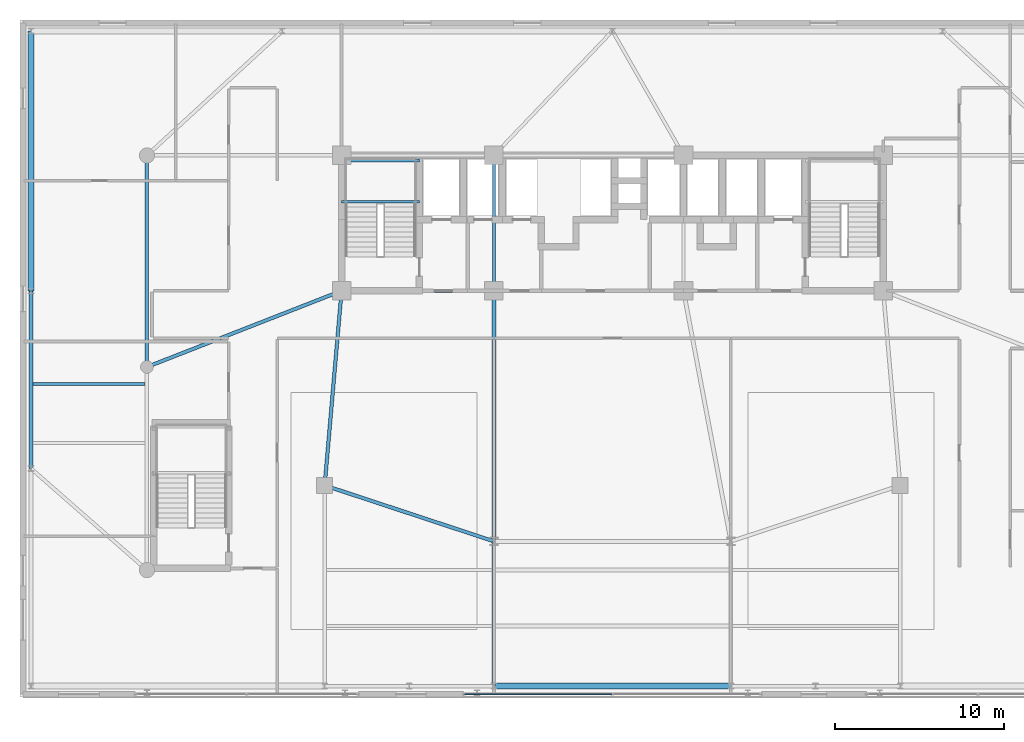
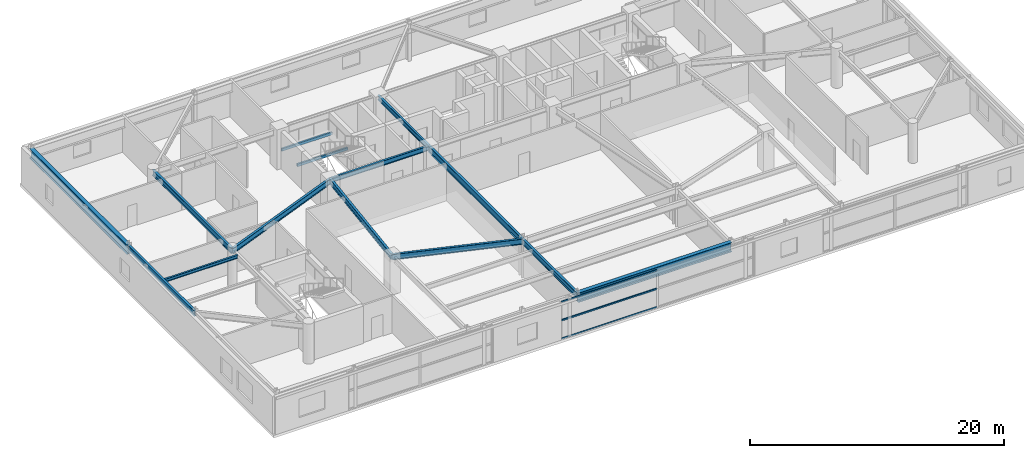
# One storey, part 11 of 26: 14 beams, 4 members, 2 elements without a shape of their own.
"""IFC4 building model written with IfcOpenShell, lengths in metres."""

from ifc_helpers import new_model, si_unit, direction, frame, origin, origin_2d, place, context, subcontext, project, spatial, hollow_rectangle, i_section, extrude, source, transform, mapped, material, layer, layer_set, material_profile, profile_set, type_object, element, aggregate, save


model = new_model("IFC4")

# Units and contexts
model_context = context("Model", 3, precision=1e-05, world=origin(), true_north=direction((0.0, 1.0)))
body_context = subcontext(model_context, "Body", "Model", "MODEL_VIEW")
ifc_project = project(units=[si_unit("LENGTHUNIT", "METRE"), si_unit("AREAUNIT", "SQUARE_METRE"), si_unit("VOLUMEUNIT", "CUBIC_METRE"), si_unit("PLANEANGLEUNIT", "RADIAN"), si_unit("MASSUNIT", "GRAM", prefix="KILO")], contexts=[model_context])

# Site, building, storey
site_placement = place(None, origin())
site = spatial("IfcSite", under=ifc_project, at=site_placement, CompositionType="ELEMENT")
building_placement = place(site_placement, origin())
building = spatial("IfcBuilding", under=site, at=building_placement, Name="Taldren Reach Tower", CompositionType="ELEMENT")
storey_placement = place(building_placement, frame((0.0, 0.0, 4.550048828125)))
storey = spatial("IfcBuildingStorey", under=building, at=storey_placement, Name="L01", CompositionType="ELEMENT", Elevation=4.550048828125)

# Beams
ifc_material_1 = material(Name="Steel Gr 350 (350PLUS)", Category="steel")
ifc_material_profile_1 = material_profile(ifc_material_1, i_section(OverallWidth=0.19091796875, OverallDepth=0.4599609375, WebThickness=0.010009765625, FlangeThickness=0.01611328125, at=origin_2d()), Name="460UB82.1")
ifc_profile_set_1 = profile_set([ifc_material_profile_1], Name="Steel Gr 350 (350PLUS)")
beam_type_1 = type_object("IfcBeamType", Name="BM-UB460A", PredefinedType="BEAM", material=ifc_profile_set_1)
shared_shape_1 = source(origin(), body_context, "Body", "SweptSolid", [
    extrude(i_section(OverallWidth=0.19091796875, OverallDepth=0.4599609375, WebThickness=0.010009765625, FlangeThickness=0.01611328125, at=origin_2d()), origin(), (0.0, 0.0, 1.0), 9.0),
])
beam_1_placement = place(storey_placement, frame((19.0, 24.0, 3.35986328125), z_axis=(1.0, 0.0, 0.0), x_axis=(0.0, 1.0, 0.0)))
element("IfcBeam", 1, at=beam_1_placement, inside=storey, type_object=beam_type_1, Name="Core-spine girder L01-SP01", PredefinedType="BEAM", context=body_context, shape_type="MappedRepresentation", body=[
    mapped(shared_shape_1, transform((0.0, 0.0, 0.0), scale=1.0)),
])
shared_shape_2 = source(origin(), body_context, "Body", "SweptSolid", [
    extrude(i_section(OverallWidth=0.19091796875, OverallDepth=0.4599609375, WebThickness=0.010009765625, FlangeThickness=0.01611328125, at=origin_2d()), origin(), (0.0, 0.0, 1.0), 8.0),
])
beam_2_placement = place(storey_placement, frame((28.0, 24.0, 3.35986328125), z_axis=(0.0, 1.0, 0.0), x_axis=(-1.0, 0.0, 0.0)))
element("IfcBeam", 2, at=beam_2_placement, inside=storey, type_object=beam_type_1, Name="Core-spine girder L01-SP07", PredefinedType="BEAM", context=body_context, shape_type="MappedRepresentation", body=[
    mapped(shared_shape_2, transform((0.0, 0.0, 0.0), scale=1.0)),
])
ifc_material_profile_2 = material_profile(ifc_material_1, i_section(OverallWidth=0.208984375, OverallDepth=0.532958984375, WebThickness=0.01025390625, FlangeThickness=0.015625, at=origin_2d()), Name="530UB92.4")
ifc_profile_set_2 = profile_set([ifc_material_profile_2], Name="Steel Gr 350 (350PLUS)")
beam_type_2 = type_object("IfcBeamType", Name="BM-UB530A", PredefinedType="BEAM", material=ifc_profile_set_2)
shared_shape_3 = source(origin(), body_context, "Body", "SweptSolid", [
    extrude(i_section(OverallWidth=0.208984375, OverallDepth=0.532958984375, WebThickness=0.01025390625, FlangeThickness=0.015625, at=origin_2d()), origin(), (0.0, 0.0, 1.0), 11.54345703125),
])
beam_3_placement = place(storey_placement, frame((19.0, 24.0, 3.323486328125), z_axis=(-0.086629616365, -0.996240588196, 0.0), x_axis=(0.996240588196, -0.086629616365, 0.0)))
element("IfcBeam", 3, at=beam_3_placement, inside=storey, type_object=beam_type_2, Name="Core-spine girder L01-SP09", PredefinedType="BEAM", context=body_context, shape_type="MappedRepresentation", body=[
    mapped(shared_shape_3, transform((0.0, 0.0, 0.0), scale=1.0)),
])
shared_shape_4 = source(origin(), body_context, "Body", "SweptSolid", [
    extrude(i_section(OverallWidth=0.208984375, OverallDepth=0.532958984375, WebThickness=0.01025390625, FlangeThickness=0.015625, at=origin_2d()), origin(), (0.0, 0.0, 1.0), 10.530517578125),
])
beam_4_placement = place(storey_placement, frame((18.0, 12.5, 3.323486328125), z_axis=(0.949627269203, -0.313381635689, 0.0), x_axis=(0.313381635689, 0.949627269203, 0.0)))
element("IfcBeam", 4, at=beam_4_placement, inside=storey, type_object=beam_type_2, Name="Core-spine girder L01-SP10", PredefinedType="BEAM", context=body_context, shape_type="MappedRepresentation", body=[
    mapped(shared_shape_4, transform((0.0, 0.0, 0.0), scale=1.0)),
])
ifc_material_profile_3 = material_profile(ifc_material_1, i_section(OverallWidth=0.22802734375, OverallDepth=0.60205078125, WebThickness=0.010498046875, FlangeThickness=0.014892578125, at=origin_2d()), Name="610UB101")
ifc_profile_set_3 = profile_set([ifc_material_profile_3], Name="Steel Gr 350 (350PLUS)")
beam_type_3 = type_object("IfcBeamType", Name="BM-UB610B", PredefinedType="BEAM", material=ifc_profile_set_3)
shared_shape_5 = source(origin(), body_context, "Body", "SweptSolid", [
    extrude(i_section(OverallWidth=0.22802734375, OverallDepth=0.60205078125, WebThickness=0.010498046875, FlangeThickness=0.014892578125, at=origin_2d()), origin(), (0.0, 0.0, 1.0), 14.800048828125),
])
beam_5_placement = place(storey_placement, frame((28.0, 24.0, 3.2890625), z_axis=(0.0, -1.0, 0.0), x_axis=(1.0, 0.0, 0.0)))
element("IfcBeam", 5, at=beam_5_placement, inside=storey, type_object=beam_type_3, Name="Core-spine girder L01-SP14", PredefinedType="BEAM", context=body_context, shape_type="MappedRepresentation", body=[
    mapped(shared_shape_5, transform((0.0, 0.0, 0.0), scale=1.0)),
])
ifc_material_profile_4 = material_profile(ifc_material_1, i_section(OverallWidth=0.35009765625, OverallDepth=0.916015625, WebThickness=0.013916015625, FlangeThickness=0.028076171875, at=origin_2d()), Name="900WB257")
ifc_profile_set_4 = profile_set([ifc_material_profile_4], Name="Steel Gr 350 (350PLUS)")
beam_type_4 = type_object("IfcBeamType", Name="BM-WB900", PredefinedType="BEAM", material=ifc_profile_set_4)
shared_shape_6 = source(origin(), body_context, "Body", "SweptSolid", [
    extrude(i_section(OverallWidth=0.35009765625, OverallDepth=0.916015625, WebThickness=0.013916015625, FlangeThickness=0.028076171875, at=origin_2d()), origin(), (0.0, 0.0, 1.0), 14.0),
])
beam_6_placement = place(storey_placement, frame((28.0, 0.64990234375, 3.1318359375), z_axis=(1.0, 0.0, 0.0), x_axis=(0.0, 1.0, 0.0)))
element("IfcBeam", 6, at=beam_6_placement, inside=storey, type_object=beam_type_4, Name="Podium girder L01-PD04", PredefinedType="BEAM", context=body_context, shape_type="MappedRepresentation", body=[
    mapped(shared_shape_6, transform((0.0, 0.0, 0.0), scale=1.0)),
])
ifc_material_profile_5 = material_profile(ifc_material_1, i_section(OverallWidth=0.208984375, OverallDepth=0.528076171875, WebThickness=0.009521484375, FlangeThickness=0.01318359375, at=origin_2d()), Name="530UB82.0")
ifc_profile_set_5 = profile_set([ifc_material_profile_5], Name="Steel Gr 350 (350PLUS)")
beam_type_5 = type_object("IfcBeamType", Name="SP-UB530B", PredefinedType="SPANDREL", material=ifc_profile_set_5)
shared_shape_7 = source(origin(), body_context, "Body", "SweptSolid", [
    extrude(i_section(OverallWidth=0.208984375, OverallDepth=0.528076171875, WebThickness=0.009521484375, FlangeThickness=0.01318359375, at=origin_2d()), origin(), (0.0, 0.0, 1.0), 10.5),
])
beam_7_placement = place(storey_placement, frame((0.64990234375, 13.5, 3.325927734375), z_axis=(0.0, 1.0, 0.0), x_axis=(-1.0, 0.0, 0.0)))
element("IfcBeam", 7, at=beam_7_placement, inside=storey, type_object=beam_type_5, Name="Podium beam L01-PD13", PredefinedType="SPANDREL", context=body_context, shape_type="MappedRepresentation", body=[
    mapped(shared_shape_7, transform((0.0, 0.0, 0.0), scale=1.0)),
])
shared_shape_8 = source(origin(), body_context, "Body", "SweptSolid", [
    extrude(i_section(OverallWidth=0.35009765625, OverallDepth=0.916015625, WebThickness=0.013916015625, FlangeThickness=0.028076171875, at=origin_2d()), origin(), (0.0, 0.0, 1.0), 15.35009765625),
])
beam_8_placement = place(storey_placement, frame((0.64990234375, 24.0, 3.1318359375), z_axis=(0.0, 1.0, 0.0), x_axis=(-1.0, 0.0, 0.0)))
element("IfcBeam", 8, at=beam_8_placement, inside=storey, type_object=beam_type_4, Name="Podium girder L01-PD14", PredefinedType="BEAM", context=body_context, shape_type="MappedRepresentation", body=[
    mapped(shared_shape_8, transform((0.0, 0.0, 0.0), scale=1.0)),
])
shared_shape_9 = source(origin(), body_context, "Body", "SweptSolid", [
    extrude(i_section(OverallWidth=0.208984375, OverallDepth=0.532958984375, WebThickness=0.01025390625, FlangeThickness=0.015625, at=origin_2d()), origin(), (0.0, 0.0, 1.0), 12.5),
])
beam_9_placement = place(storey_placement, frame((7.5, 19.5, 3.323486328125), z_axis=(0.0, 1.0, 0.0), x_axis=(-1.0, 0.0, 0.0)))
element("IfcBeam", 9, at=beam_9_placement, inside=storey, type_object=beam_type_2, Name="Podium beam L01-PD20", PredefinedType="BEAM", context=body_context, shape_type="MappedRepresentation", body=[
    mapped(shared_shape_9, transform((0.0, 0.0, 0.0), scale=1.0)),
])
shared_shape_10 = source(origin(), body_context, "Body", "SweptSolid", [
    extrude(i_section(OverallWidth=0.208984375, OverallDepth=0.532958984375, WebThickness=0.01025390625, FlangeThickness=0.015625, at=origin_2d()), origin(), (0.0, 0.0, 1.0), 8.550048828125),
])
beam_10_placement = place(storey_placement, frame((28.0, 0.64990234375, 3.323486328125), z_axis=(0.0, 1.0, 0.0), x_axis=(-1.0, 0.0, 0.0)))
element("IfcBeam", 10, at=beam_10_placement, inside=storey, type_object=beam_type_2, Name="Podium beam L01-PD23", PredefinedType="BEAM", context=body_context, shape_type="MappedRepresentation", body=[
    mapped(shared_shape_10, transform((0.0, 0.0, 0.0), scale=1.0)),
])
shared_shape_11 = source(origin(), body_context, "Body", "SweptSolid", [
    extrude(i_section(OverallWidth=0.208984375, OverallDepth=0.532958984375, WebThickness=0.01025390625, FlangeThickness=0.015625, at=origin_2d()), origin(), (0.0, 0.0, 1.0), 12.34912109375),
])
beam_11_placement = place(storey_placement, frame((7.5, 19.5, 3.323486328125), z_axis=(0.931242779706, 0.364399348581, 0.0), x_axis=(-0.364399348581, 0.931242779706, 0.0)))
element("IfcBeam", 11, at=beam_11_placement, inside=storey, type_object=beam_type_2, Name="Podium beam L01-PD30", PredefinedType="BEAM", context=body_context, shape_type="MappedRepresentation", body=[
    mapped(shared_shape_11, transform((0.0, 0.0, 0.0), scale=1.0)),
])
ifc_material_2 = material(Name="Steel Gr 300 (300PLUS, 300 MPa)", Category="steel")
ifc_material_profile_6 = material_profile(ifc_material_2, i_section(OverallWidth=0.166015625, OverallDepth=0.306884765625, WebThickness=0.006591796875, FlangeThickness=0.01171875, at=origin_2d()), Name="310UB46.2")
ifc_profile_set_6 = profile_set([ifc_material_profile_6], Name="Steel Gr 300 (300PLUS, 300 MPa)")
beam_type_6 = type_object("IfcBeamType", Name="JS-UB310", PredefinedType="JOIST", material=ifc_profile_set_6)
shared_shape_12 = source(origin(), body_context, "Body", "SweptSolid", [
    extrude(i_section(OverallWidth=0.166015625, OverallDepth=0.306884765625, WebThickness=0.006591796875, FlangeThickness=0.01171875, at=origin_2d()), origin(), (0.0, 0.0, 1.0), 6.64111328125),
])
beam_12_placement = place(storey_placement, frame((0.75439453125, 18.5, 3.4365234375), z_axis=(1.0, 0.0, 0.0), x_axis=(0.0, 1.0, 0.0)))
element("IfcBeam", 12, at=beam_12_placement, inside=storey, type_object=beam_type_6, Name="Podium wing floor joist L01-4.1", PredefinedType="JOIST", context=body_context, shape_type="MappedRepresentation", body=[
    mapped(shared_shape_12, transform((0.0, 0.0, 0.0), scale=1.0)),
])

# Curtain wall, members
ifc_material_3 = material(Name="Aluminium and Low-E Glass Unitised System", Category="aluminium")
ifc_layer = layer(ifc_material_3, 0.159912109375)
ifc_layer_set = layer_set([ifc_layer], Name="Aluminium and Low-E Glass Unitised System")
curtain_wall_type = type_object("IfcCurtainWallType", Name="CW-SYS-1", PredefinedType="NOTDEFINED", material=ifc_layer_set)
curtain_wall_1_placement = place(storey_placement, origin())
curtain_wall_1 = element("IfcCurtainWall", 13, at=curtain_wall_1_placement, inside=storey, type_object=curtain_wall_type, Name="Unitised curtain wall CW1-L01-S2", PredefinedType="NOTDEFINED")
ifc_material_4 = material(Name="Anodised Aluminium 6063-T6", Category="aluminium")
ifc_material_profile_7 = material_profile(ifc_material_4, hollow_rectangle(XDim=0.06005859375, YDim=0.135009765625, WallThickness=0.00341796875, at=origin_2d()), Name="ALU-135x60x3.5RHS")
ifc_profile_set_7 = profile_set([ifc_material_profile_7], Name="Anodised Aluminium 6063-T6")
member_type = type_object("IfcMemberType", Name="CW-TRN-150", PredefinedType="USERDEFINED", material=ifc_profile_set_7)
shared_shape_13 = source(origin(), body_context, "Body", "SweptSolid", [
    extrude(hollow_rectangle(XDim=0.06005859375, YDim=0.135009765625, WallThickness=0.00341796875, at=origin_2d()), origin(), (0.0, 0.0, 1.0), 8.695068359375),
])
member_1_placement = place(storey_placement, frame((26.27001953125, 0.169921875, 0.030029296875), z_axis=(1.0, 0.0, 0.0), x_axis=(0.0, 1.0, 0.0)))
member_1 = element("IfcMember", 14, at=member_1_placement, type_object=member_type, Name="CW-1 transom 1.1", ObjectType="TRANSOM", PredefinedType="USERDEFINED", context=body_context, shape_type="MappedRepresentation", body=[
    mapped(shared_shape_13, transform((0.0, 0.0, 0.0), scale=1.0)),
])
member_2_placement = place(storey_placement, frame((26.27001953125, 0.169921875, 1.764892578125), z_axis=(1.0, 0.0, 0.0), x_axis=(0.0, 1.0, 0.0)))
member_2 = element("IfcMember", 15, at=member_2_placement, type_object=member_type, Name="CW-1 transom 1.2", ObjectType="TRANSOM", PredefinedType="USERDEFINED", context=body_context, shape_type="MappedRepresentation", body=[
    mapped(shared_shape_13, transform((0.0, 0.0, 0.0), scale=1.0)),
])
aggregate(curtain_wall_1, [member_1, member_2])

curtain_wall_2_placement = place(storey_placement, origin())
curtain_wall_2 = element("IfcCurtainWall", 16, at=curtain_wall_2_placement, inside=storey, type_object=curtain_wall_type, Name="Unitised curtain wall CW1-L01-S2-T2", PredefinedType="NOTDEFINED")
member_3_placement = place(storey_placement, frame((26.27001953125, 0.169921875, 1.824951171875), z_axis=(1.0, 0.0, 0.0), x_axis=(0.0, 1.0, 0.0)))
member_3 = element("IfcMember", 17, at=member_3_placement, type_object=member_type, Name="CW-1 transom 1.1", ObjectType="TRANSOM", PredefinedType="USERDEFINED", context=body_context, shape_type="MappedRepresentation", body=[
    mapped(shared_shape_13, transform((0.0, 0.0, 0.0), scale=1.0)),
])
member_4_placement = place(storey_placement, frame((26.27001953125, 0.169921875, 3.56005859375), z_axis=(1.0, 0.0, 0.0), x_axis=(0.0, 1.0, 0.0)))
member_4 = element("IfcMember", 18, at=member_4_placement, type_object=member_type, Name="CW-1 transom 1.2", ObjectType="TRANSOM", PredefinedType="USERDEFINED", context=body_context, shape_type="MappedRepresentation", body=[
    mapped(shared_shape_13, transform((0.0, 0.0, 0.0), scale=1.0)),
])
aggregate(curtain_wall_2, [member_3, member_4])

# Beams
ifc_material_5 = material(Name="Steel Gr 350 (C350L0)", Category="steel")
ifc_material_profile_8 = material_profile(ifc_material_5, hollow_rectangle(XDim=0.14990234375, YDim=0.25, WallThickness=0.009033203125, at=origin_2d()), Name="250x150x9.0RHS")
ifc_profile_set_8 = profile_set([ifc_material_profile_8], Name="Steel Gr 350 (C350L0)")
beam_type_7 = type_object("IfcBeamType", Name="LN-RHS250", PredefinedType="LINTEL", material=ifc_profile_set_8)
shared_shape_14 = source(origin(), body_context, "Body", "SweptSolid", [
    extrude(hollow_rectangle(XDim=0.14990234375, YDim=0.25, WallThickness=0.009033203125, at=origin_2d()), origin(), (0.0, 0.0, 1.0), 4.60009765625),
])
for number, where, z_axis, x_axis, name in (
    (19, (19.0, 29.2548828125, 1.619873046875), (1.0, 0.0, 0.0), (0.0, 1.0, 0.0), "Stair half-landing support beam ST1-L01-1"),
    (20, (19.0, 31.699951171875, 1.619873046875), (1.0, 0.0, 0.0), (0.0, 1.0, 0.0), "Stair half-landing support beam ST1-L01-2"),
):
    element("IfcBeam", number, at=place(storey_placement, frame(where, z_axis=z_axis, x_axis=x_axis)), inside=storey, type_object=beam_type_7, Name=name, PredefinedType="LINTEL", context=body_context, shape_type="MappedRepresentation", body=[
        mapped(shared_shape_14, transform((0.0, 0.0, 0.0), scale=1.0)),
    ])

save(model, "model.ifc")
